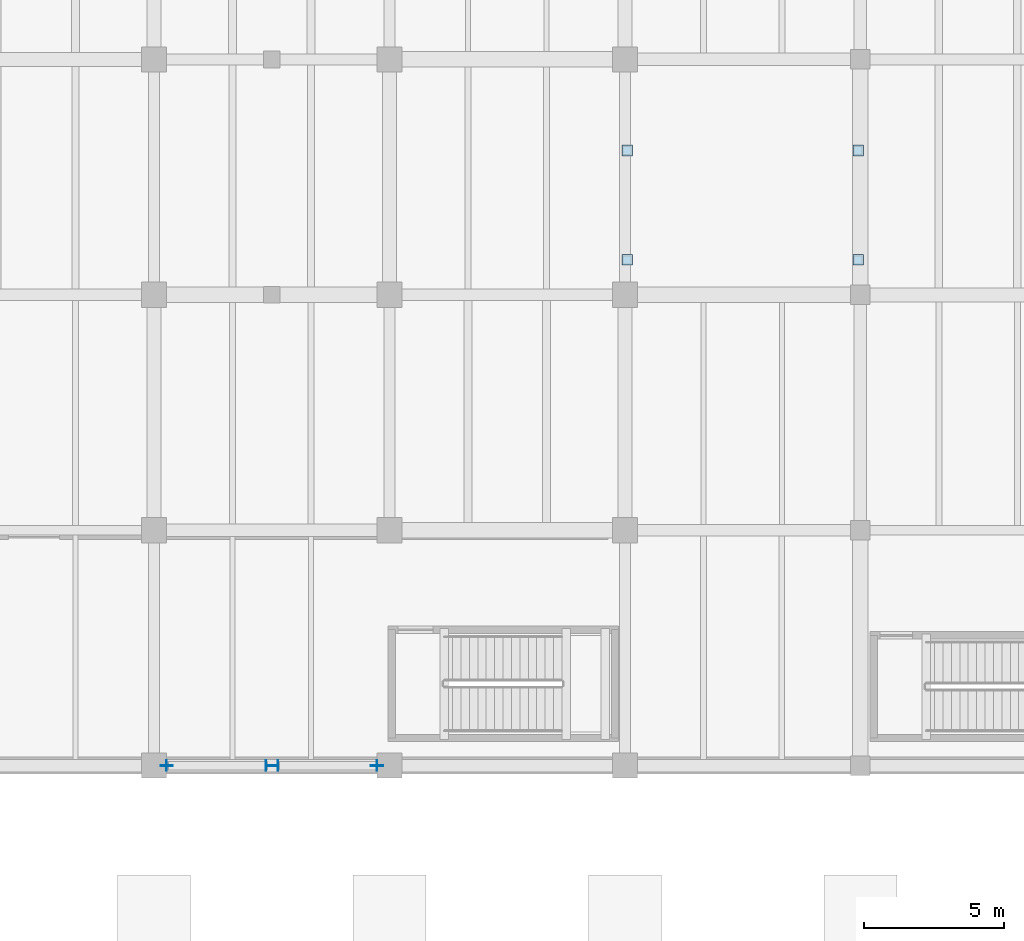
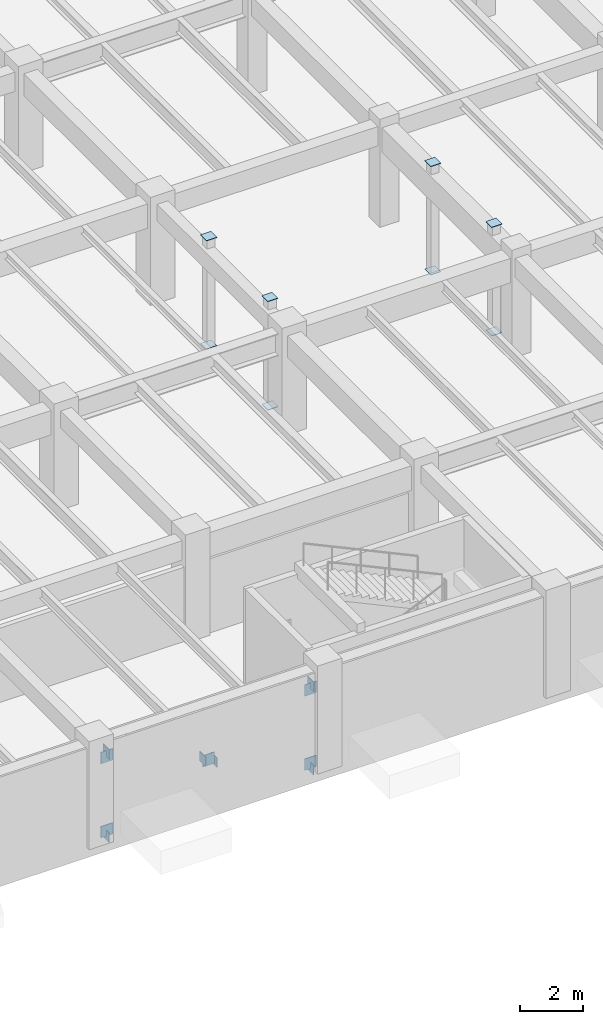
# One storey, part 29 of 63: 19 plates.
"""IFC4 building model written with IfcOpenShell, lengths in metres."""

from ifc_helpers import new_model, si_unit, direction, frame, origin, origin_2d, place, context, subcontext, project, spatial, rectangle, extrude, material, layer, layer_set, type_object, element, save


model = new_model("IFC4")

# Units and contexts
model_context = context("Model", 3, precision=1e-05, world=origin(), true_north=direction((0.0, 1.0)))
body_context = subcontext(model_context, "Body", "Model", "MODEL_VIEW")
ifc_project = project(units=[si_unit("LENGTHUNIT", "METRE"), si_unit("AREAUNIT", "SQUARE_METRE"), si_unit("VOLUMEUNIT", "CUBIC_METRE"), si_unit("PLANEANGLEUNIT", "RADIAN"), si_unit("MASSUNIT", "GRAM", prefix="KILO")], contexts=[model_context])

# Site, building, storey
site_placement = place(None, origin())
site = spatial("IfcSite", under=ifc_project, at=site_placement, CompositionType="ELEMENT")
building_placement = place(site_placement, origin())
building = spatial("IfcBuilding", under=site, at=building_placement, Name="Cumbredor Promenade Congress Hotel", CompositionType="ELEMENT")
storey_placement = place(building_placement, frame((0.0, 0.0, -4.199951171875)))
storey = spatial("IfcBuildingStorey", under=building, at=storey_placement, Name="B01", CompositionType="ELEMENT", Elevation=-4.199951171875)

# Plates
ifc_material = material(Name="Steel ASTM A572 Grade 50", Category="steel")
ifc_layer_1 = layer(ifc_material, 0.02001953125, Name="Steel ASTM A572 Grade 50", Category="steel")
ifc_layer_set_1 = layer_set([ifc_layer_1], Name="Steel ASTM A572 Grade 50")
plate_type_1 = type_object("IfcPlateType", Name="Hollow Section End Cap Plate CP-04", PredefinedType="USERDEFINED", material=ifc_layer_set_1)
for number, where, z_axis, x_axis, name in (
    (1, (50.8427734375, 8.39990234375, -0.193115234375), (0.0, 0.0, 1.0), (1.0, 0.0, 0.0), "B01 X-Brace Continuous Diagonal 6A Start Cap Plate"),
    (2, (58.357421875, 8.39990234375, 3.05322265625), (0.0, 0.0, 1.0), (1.0, 0.0, 0.0), "B01 X-Brace Continuous Diagonal 6A End Cap Plate"),
    (3, (58.357421875, 8.39990234375, -0.193115234375), (0.0, 0.0, 1.0), (-1.0, 0.0, 0.0), "B01 X-Brace Lower Split Diagonal 6B1 Start Cap Plate"),
    (4, (54.81298828125, 8.39990234375, 1.337890625), (0.0, 0.0, 1.0), (-1.0, 0.0, 0.0), "B01 X-Brace Lower Split Diagonal 6B1 End Cap Plate"),
    (5, (54.386962890625, 8.39990234375, 1.52197265625), (0.0, 0.0, 1.0), (-1.0, 0.0, 0.0), "B01 X-Brace Upper Split Diagonal 6B2 Start Cap Plate"),
    (6, (50.8427734375, 8.39990234375, 3.05322265625), (0.0, 0.0, 1.0), (-1.0, 0.0, 0.0), "B01 X-Brace Upper Split Diagonal 6B2 End Cap Plate"),
):
    element("IfcPlate", number, at=place(storey_placement, frame(where, z_axis=z_axis, x_axis=x_axis)), inside=storey, type_object=plate_type_1, Name=name, ObjectType="CAP PLATE", PredefinedType="USERDEFINED", context=body_context, shape_type="SweptSolid", body=[
        extrude(rectangle(XDim=0.02001953125, YDim=0.3798828125, at=origin_2d()), origin(), (0.0, 0.0, 1.0), 0.3798828125),
    ])
for number, where, z_axis, x_axis, name in (
    (7, (67.280029296875, 26.449951171875, -0.01806640625), (0.0, 0.0, 1.0), (1.0, 0.0, 0.0), "Central Plenary-to-Spa Pool Bridge B01 Substructure Pier 1 Start Cap Plate"),
    (8, (67.280029296875, 26.449951171875, 4.197998046875), (0.0, 0.0, 1.0), (1.0, 0.0, 0.0), "Central Plenary-to-Spa Pool Bridge B01 Substructure Pier 1 End Cap Plate"),
    (9, (67.280029296875, 30.35009765625, -0.01806640625), (0.0, 0.0, 1.0), (1.0, 0.0, 0.0), "Central Plenary-to-Spa Pool Bridge B01 Substructure Pier 2 Start Cap Plate"),
    (10, (67.280029296875, 30.35009765625, 4.197998046875), (0.0, 0.0, 1.0), (1.0, 0.0, 0.0), "Central Plenary-to-Spa Pool Bridge B01 Substructure Pier 2 End Cap Plate"),
    (11, (75.52001953125, 26.449951171875, -0.01806640625), (0.0, 0.0, 1.0), (1.0, 0.0, 0.0), "Central Plenary-to-Spa Pool Bridge B01 Substructure Pier 3 Start Cap Plate"),
    (12, (75.52001953125, 26.449951171875, 4.197998046875), (0.0, 0.0, 1.0), (1.0, 0.0, 0.0), "Central Plenary-to-Spa Pool Bridge B01 Substructure Pier 3 End Cap Plate"),
    (13, (75.52001953125, 30.35009765625, -0.01806640625), (0.0, 0.0, 1.0), (1.0, 0.0, 0.0), "Central Plenary-to-Spa Pool Bridge B01 Substructure Pier 4 Start Cap Plate"),
    (14, (75.52001953125, 30.35009765625, 4.197998046875), (0.0, 0.0, 1.0), (1.0, 0.0, 0.0), "Central Plenary-to-Spa Pool Bridge B01 Substructure Pier 4 End Cap Plate"),
):
    element("IfcPlate", number, at=place(storey_placement, frame(where, z_axis=z_axis, x_axis=x_axis)), inside=storey, type_object=plate_type_1, Name=name, ObjectType="CAP PLATE", PredefinedType="USERDEFINED", context=body_context, shape_type="SweptSolid", body=[
        extrude(rectangle(XDim=0.3798828125, YDim=0.3798828125, at=origin_2d()), origin(), (0.0, 0.0, 1.0), 0.02001953125),
    ])
ifc_layer_2 = layer(ifc_material, 0.028076171875, Name="Steel ASTM A572 Grade 50", Category="steel")
ifc_layer_set_2 = layer_set([ifc_layer_2], Name="Steel ASTM A572 Grade 50")
plate_type_2 = type_object("IfcPlateType", Name="Space Frame Node Assembly ND-03", PredefinedType="USERDEFINED", material=ifc_layer_set_2)
for number, where, z_axis, x_axis, name in (
    (15, (50.85009765625, 8.39990234375, -0.0400390625), (0.0, 0.0, 1.0), (1.0, 0.0, 0.0), "B01 Seismic Frame Gusset Plate 6-BL"),
    (16, (58.35009765625, 8.39990234375, -0.0400390625), (0.0, 0.0, 1.0), (1.0, 0.0, 0.0), "B01 Seismic Frame Gusset Plate 6-BR"),
    (17, (50.85009765625, 8.39990234375, 2.840087890625), (0.0, 0.0, 1.0), (1.0, 0.0, 0.0), "B01 Seismic Frame Gusset Plate 6-TL"),
    (18, (58.35009765625, 8.39990234375, 2.840087890625), (0.0, 0.0, 1.0), (1.0, 0.0, 0.0), "B01 Seismic Frame Gusset Plate 6-TR"),
    (19, (54.60009765625, 8.39990234375, 1.39990234375), (0.0, 0.0, 1.0), (1.0, 0.0, 0.0), "B01 X-Brace Central Crossing Gusset Plate 6"),
):
    element("IfcPlate", number, at=place(storey_placement, frame(where, z_axis=z_axis, x_axis=x_axis)), inside=storey, type_object=plate_type_2, Name=name, ObjectType="GUSSET PLATE", PredefinedType="USERDEFINED", context=body_context, shape_type="SweptSolid", body=[
        extrude(rectangle(XDim=0.43994140625, YDim=0.028076171875, at=origin_2d()), origin(), (0.0, 0.0, 1.0), 0.43994140625),
    ])

save(model, "model.ifc")
